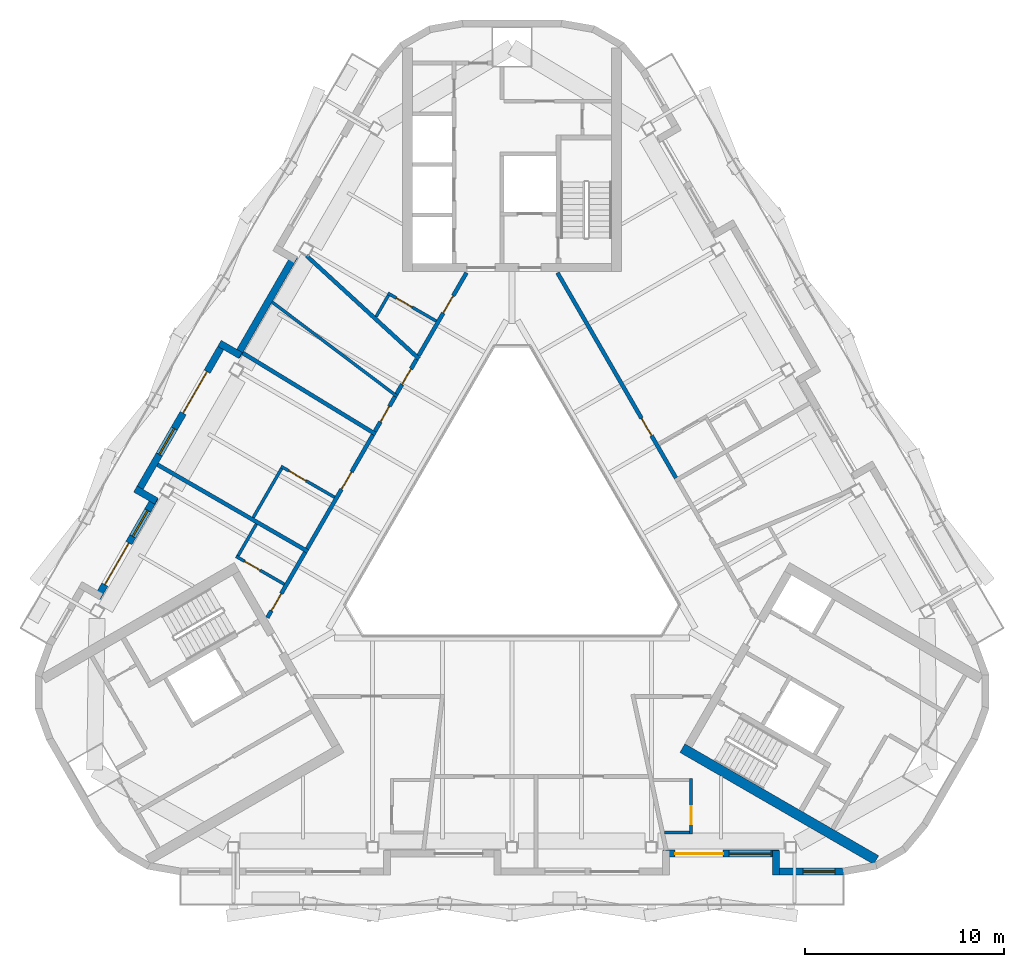
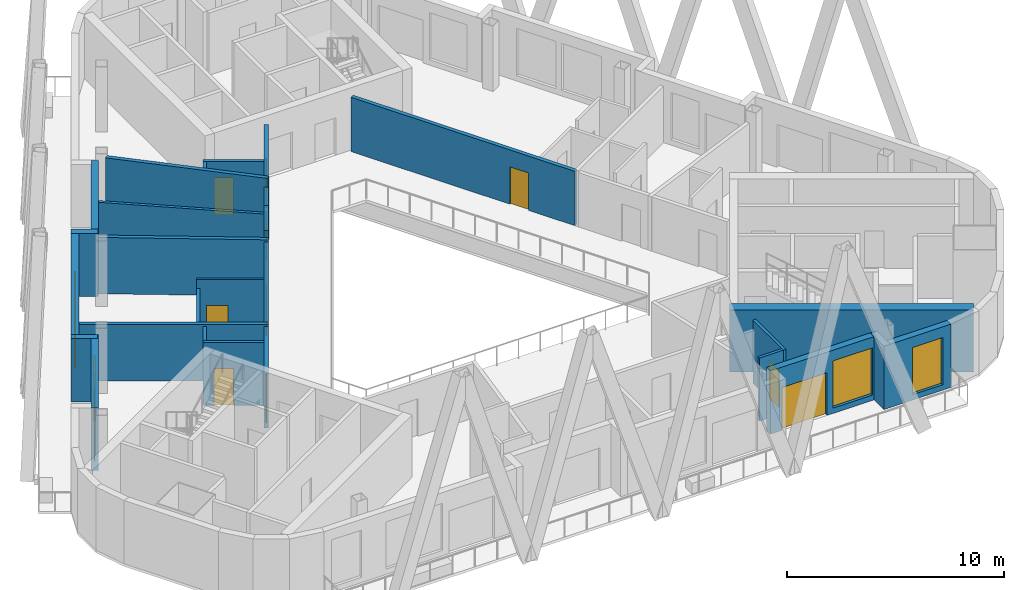
# One storey, part 4 of 12: 27 walls, 13 doors, 4 windows, 17 openings.
"""IFC4 building model written with IfcOpenShell, lengths in metres."""

from ifc_helpers import new_model, si_unit, direction, frame, frame_2d, origin, place, context, subcontext, project, spatial, rectangle, extrude, material, layer, layer_set, type_object, element, fill, save


model = new_model("IFC4")

# Units and contexts
model_context = context("Model", 3, precision=1e-05, world=origin(), true_north=direction((0.0, 1.0)))
body_context = subcontext(model_context, "Body", "Model", "MODEL_VIEW")
ifc_project = project(units=[si_unit("LENGTHUNIT", "METRE"), si_unit("AREAUNIT", "SQUARE_METRE"), si_unit("VOLUMEUNIT", "CUBIC_METRE"), si_unit("PLANEANGLEUNIT", "RADIAN"), si_unit("MASSUNIT", "GRAM", prefix="KILO")], contexts=[model_context])

# Site, building, storey
site_placement = place(None, origin())
site = spatial("IfcSite", under=ifc_project, at=site_placement, CompositionType="ELEMENT")
building_placement = place(site_placement, origin())
building = spatial("IfcBuilding", under=site, at=building_placement, Name="Apuvela Tower Hotel", CompositionType="ELEMENT")
storey_placement = place(building_placement, frame((0.0, 0.0, 291.10009765625)))
storey = spatial("IfcBuildingStorey", under=building, at=storey_placement, Name="L72", CompositionType="ELEMENT", Elevation=291.10009765625)

# Walls
ifc_material_1 = material(Name="Concrete C50/60", Category="concrete")
ifc_layer_1 = layer(ifc_material_1, 0.5)
ifc_layer_set_1 = layer_set([ifc_layer_1], Name="COR-WALL-CORE-500")
wall_type_1 = type_object("IfcWallType", Name="COR-WALL-CORE-500", PredefinedType="SHEAR", material=ifc_layer_set_1)
wall_1_placement = place(storey_placement, frame((8.546630859375, -10.99658203125, 0.0), z_axis=(0.0, 0.0, 1.0), x_axis=(0.866025449148, -0.499999921427, 0.0)))
element("IfcWall", 1, at=wall_1_placement, inside=storey, type_object=wall_type_1, Name="Core wall SE", PredefinedType="SHEAR", context=body_context, shape_type="SweptSolid", body=[
    extrude(rectangle(XDim=11.2216796875, YDim=0.5, at=frame_2d((5.61083984375, 0.0))), origin(), (0.0, 0.0, 1.0), 3.5),
])
ifc_material_2 = material(Name="Concrete C40/50, dark pigmented precast panel", Category="concrete")
ifc_layer_2 = layer(ifc_material_2, 0.35009765625)
ifc_layer_set_2 = layer_set([ifc_layer_2], Name="ENV-WALL-350")
wall_type_2 = type_object("IfcWallType", Name="ENV-WALL-350", PredefinedType="SOLIDWALL", material=ifc_layer_set_2)
wall_2_placement = place(storey_placement, frame((-10.901123046875, 13.692138671875, 0.0), z_axis=(0.0, 0.0, 1.0), x_axis=(-0.499987198161, -0.866032794804, 0.0)))
element("IfcWall", 2, at=wall_2_placement, inside=storey, type_object=wall_type_2, Name="External wall L72-03", PredefinedType="SOLIDWALL", context=body_context, shape_type="SweptSolid", body=[
    extrude(rectangle(XDim=5.827392578125, YDim=0.35009765625, at=frame_2d((2.91357421875, 0.0))), origin(), (0.0, 0.0, 1.0), 3.5498046875),
])
wall_3_placement = place(storey_placement, frame((-13.616455078125, 8.698486328125, 0.0), z_axis=(0.0, 0.0, 1.0), x_axis=(-0.866005645448, 0.500034220881, 0.0)))
element("IfcWall", 3, at=wall_3_placement, inside=storey, type_object=wall_type_2, Name="External wall L72-04", PredefinedType="SOLIDWALL", context=body_context, shape_type="SweptSolid", body=[
    extrude(rectangle(XDim=1.22021484375, YDim=0.35009765625, at=frame_2d((0.610107421875, 0.0))), origin(), (0.0, 0.0, 1.0), 3.5498046875),
])

# Wall, openings, door, window
wall_4_placement = place(storey_placement, frame((-14.43408203125, 9.372802734375, 0.0), z_axis=(0.0, 0.0, 1.0), x_axis=(-0.499999835575, -0.866025498715, 0.0)))
wall_4 = element("IfcWall", 4, at=wall_4_placement, inside=storey, type_object=wall_type_2, Name="External wall L72-05", PredefinedType="SOLIDWALL", context=body_context, shape_type="SweptSolid", body=[
    extrude(rectangle(XDim=8.787109375, YDim=0.35009765625, at=frame_2d((4.3935546875, 0.0))), origin(), (0.0, 0.0, 1.0), 3.5498046875),
])
opening_1_placement = place(wall_4_placement, frame((1.718994140625, 0.0, 0.0)))
opening_1 = element("IfcOpeningElement", 5, at=opening_1_placement, cuts=wall_4, Name="Opening BD24", PredefinedType="OPENING", context=body_context, shape_type="SweptSolid", body=[
    extrude(rectangle(XDim=2.39990234375, YDim=2.39990234375, at=frame_2d((1.199951171875, 1.199951171875))), frame((0.0, 0.18505859375, 0.0), z_axis=(0.0, -1.0, 0.0), x_axis=(1.0, 0.0, 0.0)), (0.0, 0.0, 1.0), 0.3701171875),
])
opening_2_placement = place(wall_4_placement, frame((5.012939453125, 0.0, 0.300048828125)))
opening_2 = element("IfcOpeningElement", 6, at=opening_2_placement, cuts=wall_4, Name="Opening WN15", PredefinedType="OPENING", context=body_context, shape_type="SweptSolid", body=[
    extrude(rectangle(XDim=1.5, YDim=2.64990234375, at=frame_2d((0.75, 1.324951171875))), frame((0.0, 0.18505859375, 0.0), z_axis=(0.0, -1.0, 0.0), x_axis=(1.0, 0.0, 0.0)), (0.0, 0.0, 1.0), 0.3701171875),
])
ifc_material_3 = material(Name="Aluminium 6063-T6, dark bronze anodised frame with dark tinted laminated glass", Category="aluminium")
door_type_1 = type_object("IfcDoorType", Name="ENV-DOOR-BALCONY-2400x2400", OperationType="SLIDING_TO_LEFT", PredefinedType="DOOR", material=ifc_material_3)
door_1_placement = place(opening_1_placement, frame((2.39990234375, 0.0, 0.0), z_axis=(0.0, 0.0, 1.0), x_axis=(-1.0, 0.0, 0.0)))
door_1 = element("IfcDoor", 7, at=door_1_placement, inside=storey, type_object=door_type_1, Name="Balcony door BD24", OperationType="SLIDING_TO_LEFT", OverallHeight=2.39990234375, OverallWidth=2.39990234375, PredefinedType="DOOR", context=body_context, shape_type="SweptSolid", body=[
    extrude(rectangle(XDim=2.39990234375, YDim=2.39990234375, at=frame_2d((1.199951171875, 1.199951171875))), frame((0.0, 0.02490234375, 0.0), z_axis=(0.0, -1.0, 0.0), x_axis=(1.0, 0.0, 0.0)), (0.0, 0.0, 1.0), 0.050048828125),
])
fill(opening_1, door_1)
ifc_material_4 = material(Name="Glass, dark tinted laminated insulated glazing unit", Category="glass")
window_type_1 = type_object("IfcWindowType", Name="ENV-WIN-1500x2650", PartitioningType="SINGLE_PANEL", PredefinedType="WINDOW", material=ifc_material_4)
window_1_placement = place(opening_2_placement, origin())
window_1 = element("IfcWindow", 8, at=window_1_placement, inside=storey, type_object=window_type_1, Name="Window WN15", OverallHeight=2.64990234375, OverallWidth=1.5, PartitioningType="SINGLE_PANEL", PredefinedType="WINDOW", context=body_context, shape_type="SweptSolid", body=[
    extrude(rectangle(XDim=1.5, YDim=2.64990234375, at=frame_2d((0.75, 1.324951171875))), frame((0.0, 0.030029296875, 0.0), z_axis=(0.0, -1.0, 0.0), x_axis=(1.0, 0.0, 0.0)), (0.0, 0.0, 1.0), 0.06005859375),
])
fill(opening_2, window_1)

# Wall
wall_5_placement = place(storey_placement, frame((-18.8916015625, 2.001953125, 0.0), z_axis=(0.0, 0.0, 1.0), x_axis=(0.866042269935, -0.499970785833, 0.0)))
element("IfcWall", 9, at=wall_5_placement, inside=storey, type_object=wall_type_2, Name="External wall L72-06", PredefinedType="SOLIDWALL", context=body_context, shape_type="SweptSolid", body=[
    extrude(rectangle(XDim=1.2197265625, YDim=0.35009765625, at=frame_2d((0.60986328125, 0.0))), origin(), (0.0, 0.0, 1.0), 3.5498046875),
])

# Wall, openings, door, window
wall_6_placement = place(storey_placement, frame((-17.88818359375, 1.590087890625, 0.0), z_axis=(0.0, 0.0, 1.0), x_axis=(-0.499987198161, -0.866032794804, 0.0)))
wall_6 = element("IfcWall", 10, at=wall_6_placement, inside=storey, type_object=wall_type_2, Name="External wall L72-07", PredefinedType="SOLIDWALL", context=body_context, shape_type="SweptSolid", body=[
    extrude(rectangle(XDim=5.827392578125, YDim=0.35009765625, at=frame_2d((2.91357421875, 0.0))), origin(), (0.0, 0.0, 1.0), 3.5498046875),
])
opening_3_placement = place(wall_6_placement, frame((2.6572265625, 0.0, 0.0)))
opening_3 = element("IfcOpeningElement", 11, at=opening_3_placement, cuts=wall_6, Name="Opening BD24", PredefinedType="OPENING", context=body_context, shape_type="SweptSolid", body=[
    extrude(rectangle(XDim=2.39990234375, YDim=2.39990234375, at=frame_2d((1.199951171875, 1.199951171875))), frame((0.0, 0.18505859375, 0.0), z_axis=(0.0, -1.0, 0.0), x_axis=(1.0, 0.0, 0.0)), (0.0, 0.0, 1.0), 0.3701171875),
])
opening_4_placement = place(wall_6_placement, frame((0.77001953125, 0.0, 0.300048828125)))
opening_4 = element("IfcOpeningElement", 12, at=opening_4_placement, cuts=wall_6, Name="Opening WN15", PredefinedType="OPENING", context=body_context, shape_type="SweptSolid", body=[
    extrude(rectangle(XDim=1.5, YDim=2.64990234375, at=frame_2d((0.75, 1.324951171875))), frame((0.0, 0.18505859375, 0.0), z_axis=(0.0, -1.0, 0.0), x_axis=(1.0, 0.0, 0.0)), (0.0, 0.0, 1.0), 0.3701171875),
])
door_2_placement = place(opening_3_placement, frame((2.39990234375, 0.0, 0.0), z_axis=(0.0, 0.0, 1.0), x_axis=(-1.0, 0.0, 0.0)))
door_2 = element("IfcDoor", 13, at=door_2_placement, inside=storey, type_object=door_type_1, Name="Balcony door BD24", OperationType="SLIDING_TO_LEFT", OverallHeight=2.39990234375, OverallWidth=2.39990234375, PredefinedType="DOOR", context=body_context, shape_type="SweptSolid", body=[
    extrude(rectangle(XDim=2.39990234375, YDim=2.39990234375, at=frame_2d((1.199951171875, 1.199951171875))), frame((0.0, 0.02490234375, 0.0), z_axis=(0.0, -1.0, 0.0), x_axis=(1.0, 0.0, 0.0)), (0.0, 0.0, 1.0), 0.050048828125),
])
fill(opening_3, door_2)
window_2_placement = place(opening_4_placement, origin())
window_2 = element("IfcWindow", 14, at=window_2_placement, inside=storey, type_object=window_type_1, Name="Window WN15", OverallHeight=2.64990234375, OverallWidth=1.5, PartitioningType="SINGLE_PANEL", PredefinedType="WINDOW", context=body_context, shape_type="SweptSolid", body=[
    extrude(rectangle(XDim=1.5, YDim=2.64990234375, at=frame_2d((0.75, 1.324951171875))), frame((0.0, 0.030029296875, 0.0), z_axis=(0.0, -1.0, 0.0), x_axis=(1.0, 0.0, 0.0)), (0.0, 0.0, 1.0), 0.06005859375),
])
fill(opening_4, window_2)

wall_7_placement = place(storey_placement, frame((7.567138671875, -16.28662109375, 0.0), z_axis=(0.0, 0.0, 1.0), x_axis=(1.0, 0.0, 0.0)))
wall_7 = element("IfcWall", 15, at=wall_7_placement, inside=storey, type_object=wall_type_2, Name="External wall L72-23", PredefinedType="SOLIDWALL", context=body_context, shape_type="SweptSolid", body=[
    extrude(rectangle(XDim=5.8271484375, YDim=0.35009765625, at=frame_2d((2.91357421875, 0.0))), origin(), (0.0, 0.0, 1.0), 3.5498046875),
])
opening_5_placement = place(wall_7_placement, frame((0.616943359375, 0.0, 0.0)))
opening_5 = element("IfcOpeningElement", 16, at=opening_5_placement, cuts=wall_7, Name="Opening BD24", PredefinedType="OPENING", context=body_context, shape_type="SweptSolid", body=[
    extrude(rectangle(XDim=2.39990234375, YDim=2.39990234375, at=frame_2d((1.199951171875, 1.199951171875))), frame((0.0, 0.18505859375, 0.0), z_axis=(0.0, -1.0, 0.0), x_axis=(1.0, 0.0, 0.0)), (0.0, 0.0, 1.0), 0.3701171875),
])
opening_6_placement = place(wall_7_placement, frame((3.31689453125, 0.0, 0.300048828125)))
opening_6 = element("IfcOpeningElement", 17, at=opening_6_placement, cuts=wall_7, Name="Opening WN21", PredefinedType="OPENING", context=body_context, shape_type="SweptSolid", body=[
    extrude(rectangle(XDim=2.10009765625, YDim=2.64990234375, at=frame_2d((1.050048828125, 1.324951171875))), frame((0.0, 0.18505859375, 0.0), z_axis=(0.0, -1.0, 0.0), x_axis=(1.0, 0.0, 0.0)), (0.0, 0.0, 1.0), 0.3701171875),
])
door_3_placement = place(opening_5_placement, frame((2.39990234375, 0.0, 0.0), z_axis=(0.0, 0.0, 1.0), x_axis=(-1.0, 0.0, 0.0)))
door_3 = element("IfcDoor", 18, at=door_3_placement, inside=storey, type_object=door_type_1, Name="Balcony door BD24", OperationType="SLIDING_TO_LEFT", OverallHeight=2.39990234375, OverallWidth=2.39990234375, PredefinedType="DOOR", context=body_context, shape_type="SweptSolid", body=[
    extrude(rectangle(XDim=2.39990234375, YDim=2.39990234375, at=frame_2d((1.199951171875, 1.199951171875))), frame((0.0, 0.02490234375, 0.0), z_axis=(0.0, -1.0, 0.0), x_axis=(1.0, 0.0, 0.0)), (0.0, 0.0, 1.0), 0.050048828125),
])
fill(opening_5, door_3)
window_type_2 = type_object("IfcWindowType", Name="ENV-WIN-2100x2650", PartitioningType="SINGLE_PANEL", PredefinedType="WINDOW", material=ifc_material_4)
window_3_placement = place(opening_6_placement, origin())
window_3 = element("IfcWindow", 19, at=window_3_placement, inside=storey, type_object=window_type_2, Name="Window WN21", OverallHeight=2.64990234375, OverallWidth=2.10009765625, PartitioningType="SINGLE_PANEL", PredefinedType="WINDOW", context=body_context, shape_type="SweptSolid", body=[
    extrude(rectangle(XDim=2.10009765625, YDim=2.64990234375, at=frame_2d((1.050048828125, 1.324951171875))), frame((0.0, 0.030029296875, 0.0), z_axis=(0.0, -1.0, 0.0), x_axis=(1.0, 0.0, 0.0)), (0.0, 0.0, 1.0), 0.06005859375),
])
fill(opening_6, window_3)

# Wall
wall_8_placement = place(storey_placement, frame((13.249267578125, -16.1416015625, 0.0), z_axis=(0.0, 0.0, 1.0), x_axis=(0.0, -1.0, 0.0)))
element("IfcWall", 20, at=wall_8_placement, inside=storey, type_object=wall_type_2, Name="External wall L72-24", PredefinedType="SOLIDWALL", context=body_context, shape_type="SweptSolid", body=[
    extrude(rectangle(XDim=1.219970703125, YDim=0.35009765625, at=frame_2d((0.60986328125, 0.0))), origin(), (0.0, 0.0, 1.0), 3.5498046875),
])

# Wall, opening, window
wall_9_placement = place(storey_placement, frame((13.07421875, -17.1865234375, 0.0), z_axis=(0.0, 0.0, 1.0), x_axis=(1.0, 0.0, 0.0)))
wall_9 = element("IfcWall", 21, at=wall_9_placement, inside=storey, type_object=wall_type_2, Name="External wall L72-25", PredefinedType="SOLIDWALL", context=body_context, shape_type="SweptSolid", body=[
    extrude(rectangle(XDim=3.5673828125, YDim=0.35009765625, at=frame_2d((1.78369140625, 0.0))), origin(), (0.0, 0.0, 1.0), 3.5498046875),
])
opening_7_placement = place(wall_9_placement, frame((1.52490234375, 0.0, 0.300048828125)))
opening_7 = element("IfcOpeningElement", 22, at=opening_7_placement, cuts=wall_9, Name="Opening WN16", PredefinedType="OPENING", context=body_context, shape_type="SweptSolid", body=[
    extrude(rectangle(XDim=1.60009765625, YDim=2.64990234375, at=frame_2d((0.800048828125, 1.324951171875))), frame((0.0, 0.18505859375, 0.0), z_axis=(0.0, -1.0, 0.0), x_axis=(1.0, 0.0, 0.0)), (0.0, 0.0, 1.0), 0.3701171875),
])
window_type_3 = type_object("IfcWindowType", Name="ENV-WIN-1600x2650", PartitioningType="SINGLE_PANEL", PredefinedType="WINDOW", material=ifc_material_4)
window_4_placement = place(opening_7_placement, origin())
window_4 = element("IfcWindow", 23, at=window_4_placement, inside=storey, type_object=window_type_3, Name="Window WN16", OverallHeight=2.64990234375, OverallWidth=1.60009765625, PartitioningType="SINGLE_PANEL", PredefinedType="WINDOW", context=body_context, shape_type="SweptSolid", body=[
    extrude(rectangle(XDim=1.60009765625, YDim=2.64990234375, at=frame_2d((0.800048828125, 1.324951171875))), frame((0.0, 0.030029296875, 0.0), z_axis=(0.0, -1.0, 0.0), x_axis=(1.0, 0.0, 0.0)), (0.0, 0.0, 1.0), 0.06005859375),
])
fill(opening_7, window_4)

# Walls
ifc_material_5 = material(Name="Gypsum board partition on twin steel stud", Category="steel")
ifc_layer_3 = layer(ifc_material_5, 0.199951171875)
ifc_layer_set_3 = layer_set([ifc_layer_3], Name="GST-PW1")
wall_type_3 = type_object("IfcWallType", Name="GST-PW1", PredefinedType="PARTITIONING", material=ifc_layer_set_3)
wall_10_placement = place(storey_placement, frame((-10.30224609375, 13.698486328125, 0.0), z_axis=(0.0, 0.0, 1.0), x_axis=(0.737268015828, -0.675600379541, 0.0)))
element("IfcWall", 24, at=wall_10_placement, inside=storey, type_object=wall_type_3, Name="L72 partition 06", PredefinedType="PARTITIONING", context=body_context, shape_type="SweptSolid", body=[
    extrude(rectangle(XDim=7.652587890625, YDim=0.199951171875, at=frame_2d((3.826171875, 0.0))), origin(), (0.0, 0.0, 1.0), 3.5498046875),
])
wall_11_placement = place(storey_placement, frame((-13.50927734375, 8.82470703125, 0.0), z_axis=(0.0, 0.0, 1.0), x_axis=(0.853427769022, -0.521211130984, 0.0)))
element("IfcWall", 25, at=wall_11_placement, inside=storey, type_object=wall_type_3, Name="L72 partition 07", PredefinedType="PARTITIONING", context=body_context, shape_type="SweptSolid", body=[
    extrude(rectangle(XDim=7.81396484375, YDim=0.199951171875, at=frame_2d((3.906982421875, 0.0))), origin(), (0.0, 0.0, 1.0), 3.159912109375),
])
wall_12_placement = place(storey_placement, frame((-17.782470703125, 3.22314453125, 0.0), z_axis=(0.0, 0.0, 1.0), x_axis=(0.866016642396, -0.500015174863, 0.0)))
element("IfcWall", 26, at=wall_12_placement, inside=storey, type_object=wall_type_3, Name="L72 partition 08", PredefinedType="PARTITIONING", context=body_context, shape_type="SweptSolid", body=[
    extrude(rectangle(XDim=8.711669921875, YDim=0.199951171875, at=frame_2d((4.35595703125, 0.0))), origin(), (0.0, 0.0, 1.0), 3.159912109375),
])

# Wall, opening, door
ifc_material_6 = material(Name="Gypsum board corridor wall on twin steel stud, acoustic", Category="steel")
ifc_layer_4 = layer(ifc_material_6, 0.199951171875)
ifc_layer_set_4 = layer_set([ifc_layer_4], Name="GST-PW2")
wall_type_4 = type_object("IfcWallType", Name="GST-PW2", PredefinedType="PARTITIONING", material=ifc_layer_set_4)
wall_13_placement = place(storey_placement, frame((2.280517578125, 12.85009765625, 0.0), z_axis=(0.0, 0.0, 1.0), x_axis=(0.500002143212, -0.866024166397, 0.0)))
wall_13 = element("IfcWall", 27, at=wall_13_placement, inside=storey, type_object=wall_type_4, Name="L72 partition 25", PredefinedType="PARTITIONING", context=body_context, shape_type="SweptSolid", body=[
    extrude(rectangle(XDim=11.88818359375, YDim=0.199951171875, at=frame_2d((5.944091796875, 0.0))), origin(), (0.0, 0.0, 1.0), 3.0498046875),
])
opening_8_placement = place(wall_13_placement, frame((8.438232421875, 0.0, 0.0)))
opening_8 = element("IfcOpeningElement", 28, at=opening_8_placement, cuts=wall_13, Name="Opening GD29-13", PredefinedType="OPENING", context=body_context, shape_type="SweptSolid", body=[
    extrude(rectangle(XDim=1.0, YDim=2.10009765625, at=frame_2d((0.5, 1.050048828125))), frame((0.0, 0.10986328125, 0.0), z_axis=(0.0, -1.0, 0.0), x_axis=(1.0, 0.0, 0.0)), (0.0, 0.0, 1.0), 0.219970703125),
])
ifc_material_7 = material(Name="Timber door leaf in steel frame", Category="steel")
door_type_2 = type_object("IfcDoorType", Name="GST-D1", OperationType="NOTDEFINED", PredefinedType="DOOR", material=ifc_material_7)
door_4_placement = place(opening_8_placement, origin())
door_4 = element("IfcDoor", 29, at=door_4_placement, inside=storey, type_object=door_type_2, Name="Door L72-13", OperationType="SINGLE_SWING_LEFT", OverallHeight=2.10009765625, OverallWidth=1.0, PredefinedType="DOOR", context=body_context, shape_type="SweptSolid", body=[
    extrude(rectangle(XDim=1.0, YDim=2.10009765625, at=frame_2d((0.5, 1.050048828125))), frame((0.0, 0.02490234375, 0.0), z_axis=(0.0, -1.0, 0.0), x_axis=(1.0, 0.0, 0.0)), (0.0, 0.0, 1.0), 0.050048828125),
])
fill(opening_8, door_4)

wall_14_placement = place(storey_placement, frame((-4.6845703125, 8.686279296875, 0.0), z_axis=(0.0, 0.0, 1.0), x_axis=(0.500011088314, 0.866019001848, 0.0)))
wall_14 = element("IfcWall", 30, at=wall_14_placement, inside=storey, type_object=wall_type_4, Name="L72 partition 30", PredefinedType="PARTITIONING", context=body_context, shape_type="SweptSolid", body=[
    extrude(rectangle(XDim=4.80810546875, YDim=0.199951171875, at=frame_2d((2.404052734375, 0.0))), origin(), (0.0, 0.0, 1.0), 3.0498046875),
])
opening_9_placement = place(wall_14_placement, frame((2.47216796875, 0.0, 0.0)))
opening_9 = element("IfcOpeningElement", 31, at=opening_9_placement, cuts=wall_14, Name="Opening GD29-15", PredefinedType="OPENING", context=body_context, shape_type="SweptSolid", body=[
    extrude(rectangle(XDim=1.0, YDim=2.10009765625, at=frame_2d((0.5, 1.050048828125))), frame((0.0, 0.10986328125, 0.0), z_axis=(0.0, -1.0, 0.0), x_axis=(1.0, 0.0, 0.0)), (0.0, 0.0, 1.0), 0.219970703125),
])
door_5_placement = place(opening_9_placement, origin())
door_5 = element("IfcDoor", 32, at=door_5_placement, inside=storey, type_object=door_type_2, Name="Door L72-15", OperationType="SINGLE_SWING_RIGHT", OverallHeight=2.10009765625, OverallWidth=1.0, PredefinedType="DOOR", context=body_context, shape_type="SweptSolid", body=[
    extrude(rectangle(XDim=1.0, YDim=2.10009765625, at=frame_2d((0.5, 1.050048828125))), frame((0.0, 0.02490234375, 0.0), z_axis=(0.0, -1.0, 0.0), x_axis=(1.0, 0.0, 0.0)), (0.0, 0.0, 1.0), 0.050048828125),
])
fill(opening_9, door_5)

wall_15_placement = place(storey_placement, frame((-5.793212890625, 6.765869140625, 0.0), z_axis=(0.0, 0.0, 1.0), x_axis=(0.500026968848, 0.866009832753, 0.0)))
wall_15 = element("IfcWall", 33, at=wall_15_placement, inside=storey, type_object=wall_type_4, Name="L72 partition 34", PredefinedType="PARTITIONING", context=body_context, shape_type="SweptSolid", body=[
    extrude(rectangle(XDim=2.0126953125, YDim=0.199951171875, at=frame_2d((1.00634765625, 0.0))), origin(), (0.0, 0.0, 1.0), 3.0498046875),
])
opening_10_placement = place(wall_15_placement, frame((0.556396484375, 0.0, 0.0)))
opening_10 = element("IfcOpeningElement", 34, at=opening_10_placement, cuts=wall_15, Name="Opening GD29-16", PredefinedType="OPENING", context=body_context, shape_type="SweptSolid", body=[
    extrude(rectangle(XDim=0.89990234375, YDim=2.10009765625, at=frame_2d((0.449951171875, 1.050048828125))), frame((0.0, 0.10986328125, 0.0), z_axis=(0.0, -1.0, 0.0), x_axis=(1.0, 0.0, 0.0)), (0.0, 0.0, 1.0), 0.219970703125),
])
door_type_3 = type_object("IfcDoorType", Name="GST-D2", OperationType="NOTDEFINED", PredefinedType="DOOR", material=ifc_material_7)
door_6_placement = place(opening_10_placement, origin())
door_6 = element("IfcDoor", 35, at=door_6_placement, inside=storey, type_object=door_type_3, Name="Door L72-16", OperationType="SINGLE_SWING_LEFT", OverallHeight=2.10009765625, OverallWidth=0.89990234375, PredefinedType="DOOR", context=body_context, shape_type="SweptSolid", body=[
    extrude(rectangle(XDim=0.89990234375, YDim=2.10009765625, at=frame_2d((0.449951171875, 1.050048828125))), frame((0.0, 0.02490234375, 0.0), z_axis=(0.0, -1.0, 0.0), x_axis=(1.0, 0.0, 0.0)), (0.0, 0.0, 1.0), 0.050048828125),
])
fill(opening_10, door_6)

wall_16_placement = place(storey_placement, frame((-6.875732421875, 4.890625, 0.0), z_axis=(0.0, 0.0, 1.0), x_axis=(0.499865783083, 0.866102880092, 0.0)))
wall_16 = element("IfcWall", 36, at=wall_16_placement, inside=storey, type_object=wall_type_4, Name="L72 partition 35", PredefinedType="PARTITIONING", context=body_context, shape_type="SweptSolid", body=[
    extrude(rectangle(XDim=2.01513671875, YDim=0.199951171875, at=frame_2d((1.007568359375, 0.0))), origin(), (0.0, 0.0, 1.0), 3.5498046875),
])
opening_11_placement = place(wall_16_placement, frame((0.5576171875, 0.0, 0.0)))
opening_11 = element("IfcOpeningElement", 37, at=opening_11_placement, cuts=wall_16, Name="Opening GD29-17", PredefinedType="OPENING", context=body_context, shape_type="SweptSolid", body=[
    extrude(rectangle(XDim=0.89990234375, YDim=2.10009765625, at=frame_2d((0.449951171875, 1.050048828125))), frame((0.0, 0.10986328125, 0.0), z_axis=(0.0, -1.0, 0.0), x_axis=(1.0, 0.0, 0.0)), (0.0, 0.0, 1.0), 0.219970703125),
])
door_7_placement = place(opening_11_placement, origin())
door_7 = element("IfcDoor", 38, at=door_7_placement, inside=storey, type_object=door_type_3, Name="Door L72-17", OperationType="SINGLE_SWING_RIGHT", OverallHeight=2.10009765625, OverallWidth=0.89990234375, PredefinedType="DOOR", context=body_context, shape_type="SweptSolid", body=[
    extrude(rectangle(XDim=0.89990234375, YDim=2.10009765625, at=frame_2d((0.449951171875, 1.050048828125))), frame((0.0, 0.02490234375, 0.0), z_axis=(0.0, -1.0, 0.0), x_axis=(1.0, 0.0, 0.0)), (0.0, 0.0, 1.0), 0.050048828125),
])
fill(opening_11, door_7)

wall_17_placement = place(storey_placement, frame((-10.274658203125, -0.99609375, 0.0), z_axis=(0.0, 0.0, 1.0), x_axis=(0.500007539231, 0.866021050964, 0.0)))
wall_17 = element("IfcWall", 39, at=wall_17_placement, inside=storey, type_object=wall_type_4, Name="L72 partition 36", PredefinedType="PARTITIONING", context=body_context, shape_type="SweptSolid", body=[
    extrude(rectangle(XDim=6.59765625, YDim=0.199951171875, at=frame_2d((3.298828125, 0.0))), origin(), (0.0, 0.0, 1.0), 3.0498046875),
])
opening_12_placement = place(wall_17_placement, frame((3.449951171875, 0.0, 0.0)))
opening_12 = element("IfcOpeningElement", 40, at=opening_12_placement, cuts=wall_17, Name="Opening GD29-19", PredefinedType="OPENING", context=body_context, shape_type="SweptSolid", body=[
    extrude(rectangle(XDim=1.0, YDim=2.10009765625, at=frame_2d((0.5, 1.050048828125))), frame((0.0, 0.10986328125, 0.0), z_axis=(0.0, -1.0, 0.0), x_axis=(1.0, 0.0, 0.0)), (0.0, 0.0, 1.0), 0.219970703125),
])
door_8_placement = place(opening_12_placement, origin())
door_8 = element("IfcDoor", 41, at=door_8_placement, inside=storey, type_object=door_type_2, Name="Door L72-19", OperationType="SINGLE_SWING_RIGHT", OverallHeight=2.10009765625, OverallWidth=1.0, PredefinedType="DOOR", context=body_context, shape_type="SweptSolid", body=[
    extrude(rectangle(XDim=1.0, YDim=2.10009765625, at=frame_2d((0.5, 1.050048828125))), frame((0.0, 0.02490234375, 0.0), z_axis=(0.0, -1.0, 0.0), x_axis=(1.0, 0.0, 0.0)), (0.0, 0.0, 1.0), 0.050048828125),
])
fill(opening_12, door_8)

wall_18_placement = place(storey_placement, frame((-12.268798828125, -4.449951171875, 0.0), z_axis=(0.0, 0.0, 1.0), x_axis=(0.500055316652, 0.865993464345, 0.0)))
wall_18 = element("IfcWall", 42, at=wall_18_placement, inside=storey, type_object=wall_type_4, Name="L72 partition 39", PredefinedType="PARTITIONING", context=body_context, shape_type="SweptSolid", body=[
    extrude(rectangle(XDim=3.7880859375, YDim=0.199951171875, at=frame_2d((1.89404296875, 0.0))), origin(), (0.0, 0.0, 1.0), 3.0498046875),
])
opening_13_placement = place(wall_18_placement, frame((0.39990234375, 0.0, 0.0)))
opening_13 = element("IfcOpeningElement", 43, at=opening_13_placement, cuts=wall_18, Name="Opening GD29-21", PredefinedType="OPENING", context=body_context, shape_type="SweptSolid", body=[
    extrude(rectangle(XDim=1.0, YDim=2.10009765625, at=frame_2d((0.5, 1.050048828125))), frame((0.0, 0.10986328125, 0.0), z_axis=(0.0, -1.0, 0.0), x_axis=(1.0, 0.0, 0.0)), (0.0, 0.0, 1.0), 0.219970703125),
])
door_9_placement = place(opening_13_placement, origin())
door_9 = element("IfcDoor", 44, at=door_9_placement, inside=storey, type_object=door_type_2, Name="Door L72-21", OperationType="SINGLE_SWING_LEFT", OverallHeight=2.10009765625, OverallWidth=1.0, PredefinedType="DOOR", context=body_context, shape_type="SweptSolid", body=[
    extrude(rectangle(XDim=1.0, YDim=2.10009765625, at=frame_2d((0.5, 1.050048828125))), frame((0.0, 0.02490234375, 0.0), z_axis=(0.0, -1.0, 0.0), x_axis=(1.0, 0.0, 0.0)), (0.0, 0.0, 1.0), 0.050048828125),
])
fill(opening_13, door_9)

ifc_material_8 = material(Name="Moisture-resistant gypsum board wet wall on steel stud", Category="steel")
ifc_layer_5 = layer(ifc_material_8, 0.14990234375)
ifc_layer_set_5 = layer_set([ifc_layer_5], Name="GST-PW3")
wall_type_5 = type_object("IfcWallType", Name="GST-PW3", PredefinedType="PARTITIONING", material=ifc_layer_set_5)
wall_19_placement = place(storey_placement, frame((8.98974609375, -15.3115234375, 0.0), z_axis=(0.0, 0.0, 1.0), x_axis=(0.0, 1.0, 0.0)))
wall_19 = element("IfcWall", 45, at=wall_19_placement, inside=storey, type_object=wall_type_5, Name="L72 partition 16", PredefinedType="PARTITIONING", context=body_context, shape_type="SweptSolid", body=[
    extrude(rectangle(XDim=2.7998046875, YDim=0.14990234375, at=frame_2d((1.39990234375, 0.0))), origin(), (0.0, 0.0, 1.0), 3.5498046875),
])
opening_14_placement = place(wall_19_placement, frame((0.5, 0.0, 0.0)))
opening_14 = element("IfcOpeningElement", 46, at=opening_14_placement, cuts=wall_19, Name="Opening GD29-05", PredefinedType="OPENING", context=body_context, shape_type="SweptSolid", body=[
    extrude(rectangle(XDim=0.89990234375, YDim=2.10009765625, at=frame_2d((0.449951171875, 1.050048828125))), frame((0.0, 0.0849609375, 0.0), z_axis=(0.0, -1.0, 0.0), x_axis=(1.0, 0.0, 0.0)), (0.0, 0.0, 1.0), 0.169921875),
])
door_10_placement = place(opening_14_placement, origin())
door_10 = element("IfcDoor", 47, at=door_10_placement, inside=storey, type_object=door_type_3, Name="Door L72-05", OperationType="SINGLE_SWING_LEFT", OverallHeight=2.10009765625, OverallWidth=0.89990234375, PredefinedType="DOOR", context=body_context, shape_type="SweptSolid", body=[
    extrude(rectangle(XDim=0.89990234375, YDim=2.10009765625, at=frame_2d((0.449951171875, 1.050048828125))), frame((0.0, 0.02490234375, 0.0), z_axis=(0.0, -1.0, 0.0), x_axis=(1.0, 0.0, 0.0)), (0.0, 0.0, 1.0), 0.050048828125),
])
fill(opening_14, door_10)

# Wall
wall_20_placement = place(storey_placement, frame((7.650634765625, -15.236572265625, 0.0), z_axis=(0.0, 0.0, 1.0), x_axis=(1.0, 0.0, 0.0)))
element("IfcWall", 48, at=wall_20_placement, inside=storey, type_object=wall_type_5, Name="L72 partition 17", PredefinedType="PARTITIONING", context=body_context, shape_type="SweptSolid", body=[
    extrude(rectangle(XDim=1.26416015625, YDim=0.14990234375, at=frame_2d((0.632080078125, 0.0))), origin(), (0.0, 0.0, 1.0), 3.5498046875),
])

# Wall, opening, door
wall_21_placement = place(storey_placement, frame((-3.797607421875, 10.422607421875, 0.0), z_axis=(0.0, 0.0, 1.0), x_axis=(-0.866034573852, 0.49998411664, 0.0)))
wall_21 = element("IfcWall", 49, at=wall_21_placement, inside=storey, type_object=wall_type_5, Name="L72 partition 31", PredefinedType="PARTITIONING", context=body_context, shape_type="SweptSolid", body=[
    extrude(rectangle(XDim=2.7998046875, YDim=0.14990234375, at=frame_2d((1.39990234375, 0.0))), origin(), (0.0, 0.0, 1.0), 3.0498046875),
])
opening_15_placement = place(wall_21_placement, frame((1.39990234375, 0.0, 0.0)))
opening_15 = element("IfcOpeningElement", 50, at=opening_15_placement, cuts=wall_21, Name="Opening GD29-14", PredefinedType="OPENING", context=body_context, shape_type="SweptSolid", body=[
    extrude(rectangle(XDim=0.89990234375, YDim=2.10009765625, at=frame_2d((0.449951171875, 1.050048828125))), frame((0.0, 0.0849609375, 0.0), z_axis=(0.0, -1.0, 0.0), x_axis=(1.0, 0.0, 0.0)), (0.0, 0.0, 1.0), 0.169921875),
])
door_11_placement = place(opening_15_placement, origin())
door_11 = element("IfcDoor", 51, at=door_11_placement, inside=storey, type_object=door_type_3, Name="Door L72-14", OperationType="SINGLE_SWING_RIGHT", OverallHeight=2.10009765625, OverallWidth=0.89990234375, PredefinedType="DOOR", context=body_context, shape_type="SweptSolid", body=[
    extrude(rectangle(XDim=0.89990234375, YDim=2.10009765625, at=frame_2d((0.449951171875, 1.050048828125))), frame((0.0, 0.02490234375, 0.0), z_axis=(0.0, -1.0, 0.0), x_axis=(1.0, 0.0, 0.0)), (0.0, 0.0, 1.0), 0.050048828125),
])
fill(opening_15, door_11)

# Walls
wall_22_placement = place(storey_placement, frame((-6.19482421875, 11.72021484375, 0.0), z_axis=(0.0, 0.0, 1.0), x_axis=(-0.500016430238, -0.866015917575, 0.0)))
element("IfcWall", 52, at=wall_22_placement, inside=storey, type_object=wall_type_5, Name="L72 partition 32", PredefinedType="PARTITIONING", context=body_context, shape_type="SweptSolid", body=[
    extrude(rectangle(XDim=1.24609375, YDim=0.14990234375, at=frame_2d((0.623046875, 0.0))), origin(), (0.0, 0.0, 1.0), 3.0498046875),
])
wall_23_placement = place(storey_placement, frame((-12.0341796875, 11.37939453125, 0.0), z_axis=(0.0, 0.0, 1.0), x_axis=(0.798392848023, -0.602136911528, 0.0)))
element("IfcWall", 53, at=wall_23_placement, inside=storey, type_object=wall_type_5, Name="L72 partition 33", PredefinedType="PARTITIONING", context=body_context, shape_type="SweptSolid", body=[
    extrude(rectangle(XDim=7.870849609375, YDim=0.14990234375, at=frame_2d((3.935546875, 0.0))), origin(), (0.0, 0.0, 1.0), 3.0498046875),
])

# Wall, opening, door
wall_24_placement = place(storey_placement, frame((-8.898681640625, 1.5869140625, 0.0), z_axis=(0.0, 0.0, 1.0), x_axis=(-0.86602952684, 0.49999285859, 0.0)))
wall_24 = element("IfcWall", 54, at=wall_24_placement, inside=storey, type_object=wall_type_5, Name="L72 partition 37", PredefinedType="PARTITIONING", context=body_context, shape_type="SweptSolid", body=[
    extrude(rectangle(XDim=3.10009765625, YDim=0.14990234375, at=frame_2d((1.550048828125, 0.0))), origin(), (0.0, 0.0, 1.0), 3.5498046875),
])
opening_16_placement = place(wall_24_placement, frame((1.64990234375, 0.0, 0.0)))
opening_16 = element("IfcOpeningElement", 55, at=opening_16_placement, cuts=wall_24, Name="Opening GD29-18", PredefinedType="OPENING", context=body_context, shape_type="SweptSolid", body=[
    extrude(rectangle(XDim=1.0, YDim=2.10009765625, at=frame_2d((0.5, 1.050048828125))), frame((0.0, 0.0849609375, 0.0), z_axis=(0.0, -1.0, 0.0), x_axis=(1.0, 0.0, 0.0)), (0.0, 0.0, 1.0), 0.169921875),
])
door_12_placement = place(opening_16_placement, origin())
door_12 = element("IfcDoor", 56, at=door_12_placement, inside=storey, type_object=door_type_2, Name="Door L72-18", OperationType="SINGLE_SWING_RIGHT", OverallHeight=2.10009765625, OverallWidth=1.0, PredefinedType="DOOR", context=body_context, shape_type="SweptSolid", body=[
    extrude(rectangle(XDim=1.0, YDim=2.10009765625, at=frame_2d((0.5, 1.050048828125))), frame((0.0, 0.02490234375, 0.0), z_axis=(0.0, -1.0, 0.0), x_axis=(1.0, 0.0, 0.0)), (0.0, 0.0, 1.0), 0.050048828125),
])
fill(opening_16, door_12)

# Wall
wall_25_placement = place(storey_placement, frame((-11.555908203125, 3.034423828125, 0.0), z_axis=(0.0, 0.0, 1.0), x_axis=(-0.500036373335, -0.866004402611, 0.0)))
element("IfcWall", 57, at=wall_25_placement, inside=storey, type_object=wall_type_5, Name="L72 partition 38", PredefinedType="PARTITIONING", context=body_context, shape_type="SweptSolid", body=[
    extrude(rectangle(XDim=2.849853515625, YDim=0.14990234375, at=frame_2d((1.4248046875, 0.0))), origin(), (0.0, 0.0, 1.0), 3.0498046875),
])

# Wall, opening, door
wall_26_placement = place(storey_placement, frame((-13.8427734375, -1.376220703125, 0.0), z_axis=(0.0, 0.0, 1.0), x_axis=(0.866056369097, -0.49994636267, 0.0)))
wall_26 = element("IfcWall", 58, at=wall_26_placement, inside=storey, type_object=wall_type_5, Name="L72 partition 40", PredefinedType="PARTITIONING", context=body_context, shape_type="SweptSolid", body=[
    extrude(rectangle(XDim=2.800048828125, YDim=0.14990234375, at=frame_2d((1.39990234375, 0.0))), origin(), (0.0, 0.0, 1.0), 3.5498046875),
])
opening_17_placement = place(wall_26_placement, frame((0.5, 0.0, 0.0)))
opening_17 = element("IfcOpeningElement", 59, at=opening_17_placement, cuts=wall_26, Name="Opening GD29-20", PredefinedType="OPENING", context=body_context, shape_type="SweptSolid", body=[
    extrude(rectangle(XDim=0.89990234375, YDim=2.10009765625, at=frame_2d((0.449951171875, 1.050048828125))), frame((0.0, 0.0849609375, 0.0), z_axis=(0.0, -1.0, 0.0), x_axis=(1.0, 0.0, 0.0)), (0.0, 0.0, 1.0), 0.169921875),
])
door_13_placement = place(opening_17_placement, origin())
door_13 = element("IfcDoor", 60, at=door_13_placement, inside=storey, type_object=door_type_3, Name="Door L72-20", OperationType="SINGLE_SWING_LEFT", OverallHeight=2.10009765625, OverallWidth=0.89990234375, PredefinedType="DOOR", context=body_context, shape_type="SweptSolid", body=[
    extrude(rectangle(XDim=0.89990234375, YDim=2.10009765625, at=frame_2d((0.449951171875, 1.050048828125))), frame((0.0, 0.02490234375, 0.0), z_axis=(0.0, -1.0, 0.0), x_axis=(1.0, 0.0, 0.0)), (0.0, 0.0, 1.0), 0.050048828125),
])
fill(opening_17, door_13)

# Wall
wall_27_placement = place(storey_placement, frame((-12.821044921875, 0.2431640625, 0.0), z_axis=(0.0, 0.0, 1.0), x_axis=(-0.500009850223, -0.866019716681, 0.0)))
element("IfcWall", 61, at=wall_27_placement, inside=storey, type_object=wall_type_5, Name="L72 partition 41", PredefinedType="PARTITIONING", context=body_context, shape_type="SweptSolid", body=[
    extrude(rectangle(XDim=1.83837890625, YDim=0.14990234375, at=frame_2d((0.919189453125, 0.0))), origin(), (0.0, 0.0, 1.0), 3.0498046875),
])

save(model, "model.ifc")
